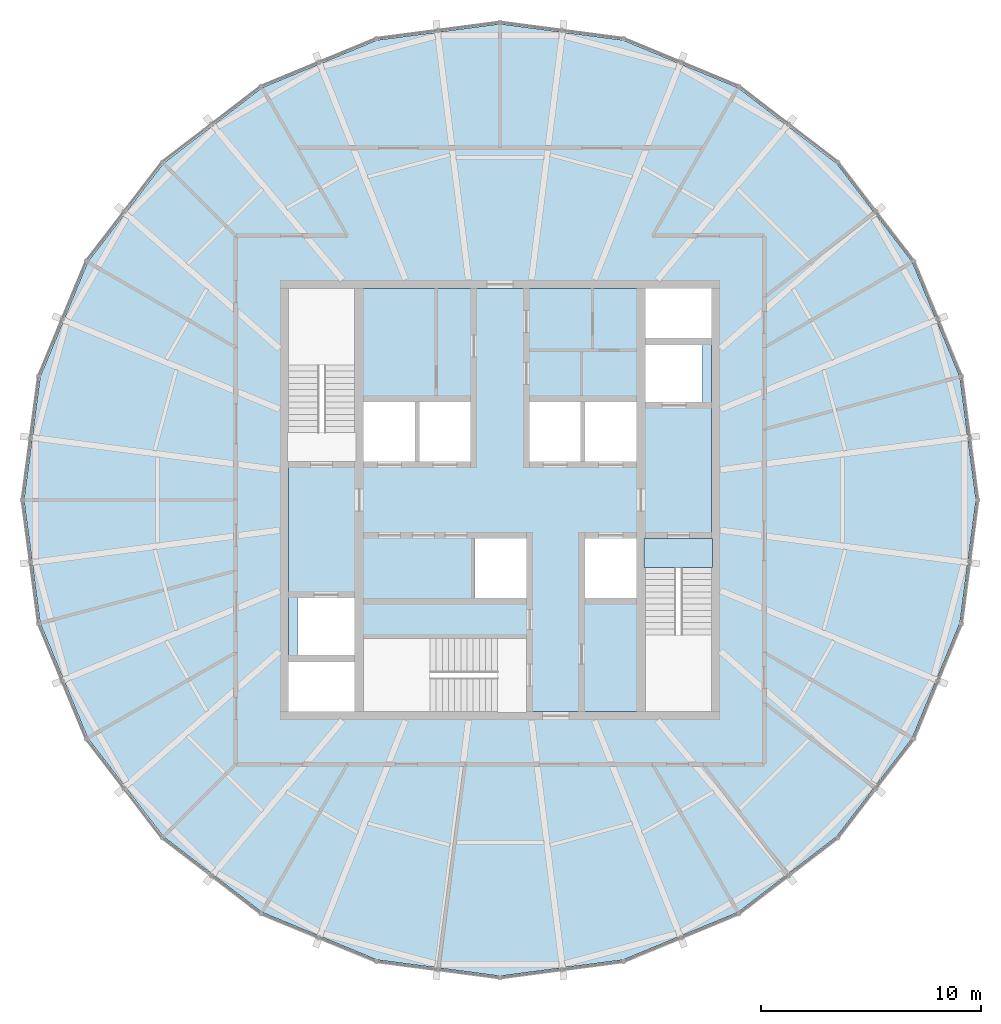
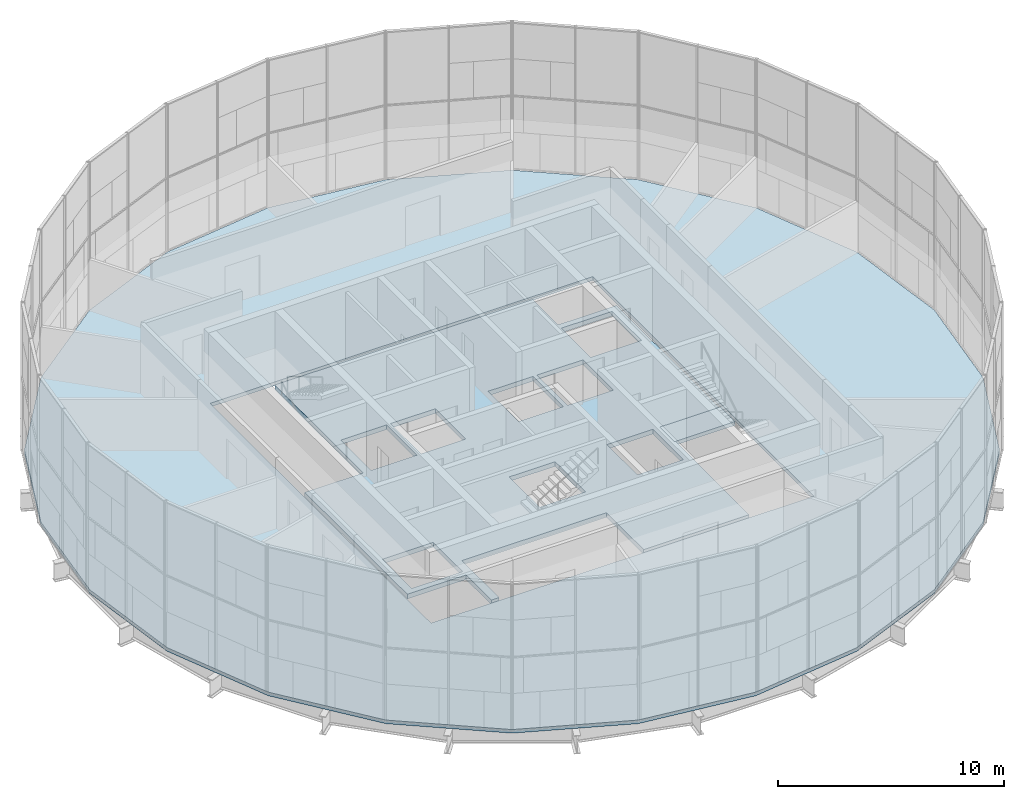
# One storey, part 11 of 18: 3 slabs.
"""IFC4 building model written with IfcOpenShell, lengths in metres."""

import ifcopenshell
import ifcopenshell.guid

model = None  # the IFC model being written
_history = None  # IfcOwnerHistory: only IFC2X3 demands one
_inside = {}  # id of a spatial element -> (the spatial element, [elements in it])
_under = {}  # id of a project, library or spatial element -> (it, [spatial elements below it])
_declared = {}  # id of a project -> (the project, [libraries it declares])
_typed = {}  # id of a type object -> (the type object, [elements of that type])
_made_of = {}  # id of a material, layer set ... -> (it, [elements and type objects made of it])


def new_model(schema):
    """Start an empty IFC model of exactly this schema.

    Asked for "IFC4X3", IfcOpenShell would pick the latest addendum, in which some entities
    have other attributes; the version numbers below select the first issue.
    IFC2X3 requires an IfcOwnerHistory on every rooted entity: one is made here for all.
    """
    global model, _history
    if schema == "IFC4X3":
        model = ifcopenshell.file(schema_version=(4, 3, 0, 0))
    else:
        model = ifcopenshell.file(schema=schema)
    _inside.clear()
    _under.clear()
    _declared.clear()
    _typed.clear()
    _made_of.clear()
    _history = None
    if model.schema == "IFC2X3":
        org = make("IfcOrganization", Name="unknown")
        user = make(
            "IfcPersonAndOrganization",
            ThePerson=make("IfcPerson", FamilyName="unknown"),
            TheOrganization=org,
        )
        app = make(
            "IfcApplication",
            ApplicationDeveloper=org,
            Version="unknown",
            ApplicationFullName="unknown",
            ApplicationIdentifier="unknown",
        )
        _history = make(
            "IfcOwnerHistory",
            OwningUser=user,
            OwningApplication=app,
            ChangeAction="ADDED",
            CreationDate=0,
        )
    return model


def make(cls, **values):
    """One entity of the class cls with the attributes given. An attribute that is None is left unset."""
    return model.create_entity(
        cls, **{name: value for name, value in values.items() if value is not None}
    )


def rooted(cls, **values):
    """An entity with a GlobalId (a new one), such as an element, a storey or a relation."""
    return make(cls, GlobalId=ifcopenshell.guid.new(), OwnerHistory=_history, **values)


def si_unit(unit_type, name, prefix=None):
    """IfcSIUnit, for example si_unit("LENGTHUNIT", "METRE", prefix="MILLI")."""
    return make("IfcSIUnit", UnitType=unit_type, Prefix=prefix, Name=name)


def assignment(units):
    """IfcUnitAssignment: the units of a project."""
    return None if units is None else make("IfcUnitAssignment", Units=units)


def point(xyz):
    """IfcCartesianPoint."""
    return None if xyz is None else make("IfcCartesianPoint", Coordinates=xyz)


def direction(xyz):
    """IfcDirection."""
    return None if xyz is None else make("IfcDirection", DirectionRatios=xyz)


def frame(location, z_axis=None, x_axis=None):
    """IfcAxis2Placement3D, a coordinate frame: its origin and axes. An axis left out is left unset."""
    return make(
        "IfcAxis2Placement3D",
        Location=point(location),
        Axis=direction(z_axis),
        RefDirection=direction(x_axis),
    )


def origin():
    """The frame at (0, 0, 0) with its axes left unset."""
    return frame((0.0, 0.0, 0.0))


def place(relative_to, where):
    """IfcLocalPlacement: puts the frame where relative to a parent placement (None: the world)."""
    return make(
        "IfcLocalPlacement", PlacementRelTo=relative_to, RelativePlacement=where
    )


def context(
    kind, dimensions, precision=None, world=None, true_north=None, identifier=None
):
    """IfcGeometricRepresentationContext, for example the 3D "Model" context."""
    return make(
        "IfcGeometricRepresentationContext",
        ContextIdentifier=identifier,
        ContextType=kind,
        CoordinateSpaceDimension=dimensions,
        Precision=precision,
        WorldCoordinateSystem=world,
        TrueNorth=true_north,
    )


def subcontext(parent, identifier, kind, view, scale=None):
    """IfcGeometricRepresentationSubContext, for example "Body" below "Model"."""
    return make(
        "IfcGeometricRepresentationSubContext",
        ContextIdentifier=identifier,
        ContextType=kind,
        ParentContext=parent,
        TargetScale=scale,
        TargetView=view,
    )


def project(units=None, contexts=None):
    """IfcProject with its units and contexts."""
    return rooted(
        "IfcProject",
        Name="project",
        RepresentationContexts=contexts,
        UnitsInContext=assignment(units),
    )


def spatial(cls, under=None, at=None, **own):
    """A site, building, storey or space (cls), placed at a placement, below another one or the project."""
    s = rooted(cls, ObjectPlacement=at, **own)
    if under is not None:
        _under.setdefault(under.id(), (under, []))[1].append(s)
    return s


def polyline(points):
    """IfcPolyline through the points."""
    return make("IfcPolyline", Points=[point(p) for p in points])


def outline(outer, holes=None, kind="AREA"):
    """IfcArbitraryClosedProfileDef: a profile drawn as a closed curve; with holes, ...WithVoids."""
    if holes is None:
        return make("IfcArbitraryClosedProfileDef", ProfileType=kind, OuterCurve=outer)
    return make(
        "IfcArbitraryProfileDefWithVoids",
        ProfileType=kind,
        OuterCurve=outer,
        InnerCurves=holes,
    )


def extrude(swept, where, along, depth):
    """IfcExtrudedAreaSolid: the profile swept, set in the frame where, extruded along a direction by depth."""
    return make(
        "IfcExtrudedAreaSolid",
        SweptArea=swept,
        Position=where,
        ExtrudedDirection=direction(along),
        Depth=depth,
    )


def shape(context_of_items, identifier, shape_type, items):
    """IfcShapeRepresentation: the items that make up one representation, for example the "Body"."""
    return make(
        "IfcShapeRepresentation",
        ContextOfItems=context_of_items,
        RepresentationIdentifier=identifier,
        RepresentationType=shape_type,
        Items=items,
    )


def material(Name=None, Category=None):
    """IfcMaterial."""
    return make("IfcMaterial", Name=Name, Category=Category)


def layer(
    of_material, thickness, ventilated=None, Name=None, Category=None, Priority=None
):
    """IfcMaterialLayer: one layer of a wall or slab, of a material (None: an air gap)."""
    return make(
        "IfcMaterialLayer",
        Material=of_material,
        LayerThickness=thickness,
        IsVentilated=ventilated,
        Name=Name,
        Category=Category,
        Priority=Priority,
    )


def layer_set(layers, Name=None):
    """IfcMaterialLayerSet."""
    return make("IfcMaterialLayerSet", MaterialLayers=layers, LayerSetName=Name)


def made_of(thing, what):
    """Note that an element or type object is made of a material, layer set ...; save() writes the relation."""
    if what is not None:
        _made_of.setdefault(what.id(), (what, []))[1].append(thing)
    return thing


def type_object(cls, material=None, **own):
    """A type object (cls), such as IfcWallType, which elements share."""
    return made_of(rooted(cls, **own), material)


def element(
    cls,
    number,
    at=None,
    inside=None,
    cuts=None,
    type_object=None,
    material=None,
    context=None,
    identifier="Body",
    shape_type=None,
    held_by="IfcProductDefinitionShape",
    body=None,
    shapes=None,
    **own,
):
    """One element of the class cls, such as IfcWall. Its Tag is "e" and its number.

    at: its placement. inside: the storey or other place that contains it. cuts: it is an
    opening in that element (IfcRelVoidsElement). A single representation is given by context,
    identifier, shape_type and body (its items); several are given by shapes. held_by: the class
    of the entity that holds the representations. save() writes the other relations.
    """
    e = rooted(cls, Tag="e%d" % number, ObjectPlacement=at, **own)
    if body is not None:
        shapes = [shape(context, identifier, shape_type, body)]
    if shapes is not None:
        e.Representation = make(held_by, Representations=shapes)
    if inside is not None:
        _inside.setdefault(inside.id(), (inside, []))[1].append(e)
    if cuts is not None:
        rooted(
            "IfcRelVoidsElement", RelatingBuildingElement=cuts, RelatedOpeningElement=e
        )
    if type_object is not None:
        _typed.setdefault(type_object.id(), (type_object, []))[1].append(e)
    return made_of(e, material)


def aggregate(whole, parts):
    """IfcRelAggregates: a whole, such as a stair, and the parts it consists of."""
    return rooted("IfcRelAggregates", RelatingObject=whole, RelatedObjects=parts)


def save(model, path):
    """Write the relations noted so far, then the file.

    IfcRelAggregates (storeys below a building ...), IfcRelContainedInSpatialStructure (elements
    in a storey), IfcRelDefinesByType, IfcRelAssociatesMaterial and IfcRelDeclares: one each for
    every whole, place, type object, material and project.
    """
    for whole, parts in _under.values():
        aggregate(whole, parts)
    for where, things in _inside.values():
        rooted(
            "IfcRelContainedInSpatialStructure",
            RelatedElements=things,
            RelatingStructure=where,
        )
    for kind, things in _typed.values():
        rooted("IfcRelDefinesByType", RelatedObjects=things, RelatingType=kind)
    for what, things in _made_of.values():
        rooted("IfcRelAssociatesMaterial", RelatedObjects=things, RelatingMaterial=what)
    for by, libraries in _declared.values():
        rooted("IfcRelDeclares", RelatingContext=by, RelatedDefinitions=libraries)
    model.write(path)


model = new_model("IFC4")

# Units and contexts
model_context = context("Model", 3, precision=1e-05, world=origin(), true_north=direction((0.0, 1.0)))
body_context = subcontext(model_context, "Body", "Model", "MODEL_VIEW")
ifc_project = project(units=[si_unit("LENGTHUNIT", "METRE"), si_unit("AREAUNIT", "SQUARE_METRE"), si_unit("VOLUMEUNIT", "CUBIC_METRE"), si_unit("PLANEANGLEUNIT", "RADIAN"), si_unit("MASSUNIT", "GRAM", prefix="KILO")], contexts=[model_context])

# Site, building, storey
site_placement = place(None, origin())
site = spatial("IfcSite", under=ifc_project, at=site_placement, CompositionType="ELEMENT")
building_placement = place(site_placement, origin())
building = spatial("IfcBuilding", under=site, at=building_placement, Name="Golbaran Civic Tower", CompositionType="ELEMENT")
storey_placement = place(building_placement, frame((0.0, 0.0, 272.0)))
storey = spatial("IfcBuildingStorey", under=building, at=storey_placement, Name="L66", CompositionType="ELEMENT", Elevation=272.0)

# Slabs
ifc_material_1 = material(Name="Concrete LC30/33 lightweight on steel deck", Category="concrete")
ifc_layer_1 = layer(ifc_material_1, 0.199951171875, Name="Concrete LC30/33 lightweight on steel deck")
ifc_layer_set_1 = layer_set([ifc_layer_1], Name="Concrete LC30/33 lightweight on steel deck")
slab_type_1 = type_object("IfcSlabType", Name="COMPOSITE FLOOR SLAB 200", PredefinedType="FLOOR", material=ifc_layer_set_1)
slab_1_placement = place(storey_placement, frame((0.0, 0.0, -0.199951171875)))
element("IfcSlab", 1, at=slab_1_placement, inside=storey, type_object=slab_type_1, Name="Floor slab L66", PredefinedType="FLOOR", context=body_context, shape_type="SweptSolid", body=[
    extrude(outline(polyline([(18.721923828125, -10.80908203125), (15.286376953125, -15.286376953125), (10.80908203125, -18.721923828125), (5.59521484375, -20.881591796875), (0.0, -21.618408203125), (-5.59521484375, -20.881591796875), (-10.80908203125, -18.721923828125), (-15.286376953125, -15.286376953125), (-18.721923828125, -10.80908203125), (-20.881591796875, -5.59521484375), (-21.618408203125, 0.0), (-20.881591796875, 5.59521484375), (-18.721923828125, 10.80908203125), (-15.286376953125, 15.286376953125), (-10.80908203125, 18.721923828125), (-5.59521484375, 20.881591796875), (0.0, 21.618408203125), (5.59521484375, 20.881591796875), (10.80908203125, 18.721923828125), (15.286376953125, 15.286376953125), (18.721923828125, 10.80908203125), (20.881591796875, 5.59521484375), (21.618408203125, 0.0), (20.881591796875, -5.59521484375), (18.721923828125, -10.80908203125)]), holes=[polyline([(-9.800048828125, 9.800048828125), (-9.800048828125, -9.800048828125), (9.800048828125, -9.800048828125), (9.800048828125, 9.800048828125), (-9.800048828125, 9.800048828125)])]), origin(), (0.0, 0.0, 1.0), 0.199951171875),
])
ifc_material_2 = material(Name="Concrete C35/45", Category="concrete")
ifc_layer_2 = layer(ifc_material_2, 0.25, Name="Concrete C35/45")
ifc_layer_set_2 = layer_set([ifc_layer_2], Name="Concrete C35/45")
slab_type_2 = type_object("IfcSlabType", Name="CORE FLOOR SLAB 250", PredefinedType="FLOOR", material=ifc_layer_set_2)
slab_2_placement = place(storey_placement, frame((0.0, 0.0, -0.25)))
element("IfcSlab", 2, at=slab_2_placement, inside=storey, type_object=slab_type_2, Name="Core floor slab L66", PredefinedType="FLOOR", context=body_context, shape_type="SweptSolid", body=[
    extrude(outline(polyline([(6.60009765625, -1.75), (6.60009765625, -9.60009765625), (1.199951171875, -9.60009765625), (1.199951171875, -6.300048828125), (-6.199951171875, -6.300048828125), (-6.199951171875, -9.60009765625), (-6.60009765625, -9.60009765625), (-6.60009765625, -7.35009765625), (-9.60009765625, -7.35009765625), (-9.60009765625, 1.75), (-6.60009765625, 1.75), (-6.60009765625, 9.60009765625), (6.60009765625, 9.60009765625), (6.60009765625, 7.35009765625), (9.60009765625, 7.35009765625), (9.60009765625, -1.75), (6.60009765625, -1.75)]), holes=[polyline([(9.199951171875, 7.050048828125), (6.60009765625, 7.050048828125), (6.60009765625, 4.449951171875), (9.199951171875, 4.449951171875), (9.199951171875, 7.050048828125)]), polyline([(6.199951171875, -1.75), (3.85009765625, -1.75), (3.85009765625, -4.449951171875), (6.199951171875, -4.449951171875), (6.199951171875, -1.75)]), polyline([(6.199951171875, 4.449951171875), (3.85009765625, 4.449951171875), (3.85009765625, 1.75), (6.199951171875, 1.75), (6.199951171875, 4.449951171875)]), polyline([(3.64990234375, 4.449951171875), (1.35009765625, 4.449951171875), (1.35009765625, 1.75), (3.64990234375, 1.75), (3.64990234375, 4.449951171875)]), polyline([(-1.14990234375, -1.75), (-1.14990234375, -4.449951171875), (1.199951171875, -4.449951171875), (1.199951171875, -1.75), (-1.14990234375, -1.75)]), polyline([(-1.35009765625, 4.449951171875), (-3.64990234375, 4.449951171875), (-3.64990234375, 1.75), (-1.35009765625, 1.75), (-1.35009765625, 4.449951171875)]), polyline([(-3.85009765625, 4.449951171875), (-6.199951171875, 4.449951171875), (-6.199951171875, 1.75), (-3.85009765625, 1.75), (-3.85009765625, 4.449951171875)]), polyline([(-6.60009765625, -4.449951171875), (-9.199951171875, -4.449951171875), (-9.199951171875, -7.050048828125), (-6.60009765625, -7.050048828125), (-6.60009765625, -4.449951171875)])]), origin(), (0.0, 0.0, 1.0), 0.25),
])
ifc_layer_3 = layer(ifc_material_2, 0.199951171875, Name="Concrete C35/45")
ifc_layer_set_3 = layer_set([ifc_layer_3], Name="Concrete C35/45")
slab_type_3 = type_object("IfcSlabType", Name="STAIR LANDING 200", PredefinedType="LANDING", material=ifc_layer_set_3)
slab_3_placement = place(storey_placement, frame((0.0, 0.0, -0.199951171875)))
element("IfcSlab", 3, at=slab_3_placement, inside=storey, type_object=slab_type_3, Name="Stair S2 floor landing L66", PredefinedType="LANDING", context=body_context, shape_type="SweptSolid", body=[
    extrude(outline(polyline([(9.64990234375, -1.75), (9.64990234375, -3.054931640625), (6.550048828125, -3.054931640625), (6.550048828125, -1.75), (9.64990234375, -1.75)])), origin(), (0.0, 0.0, 1.0), 0.199951171875),
])

save(model, "model.ifc")
